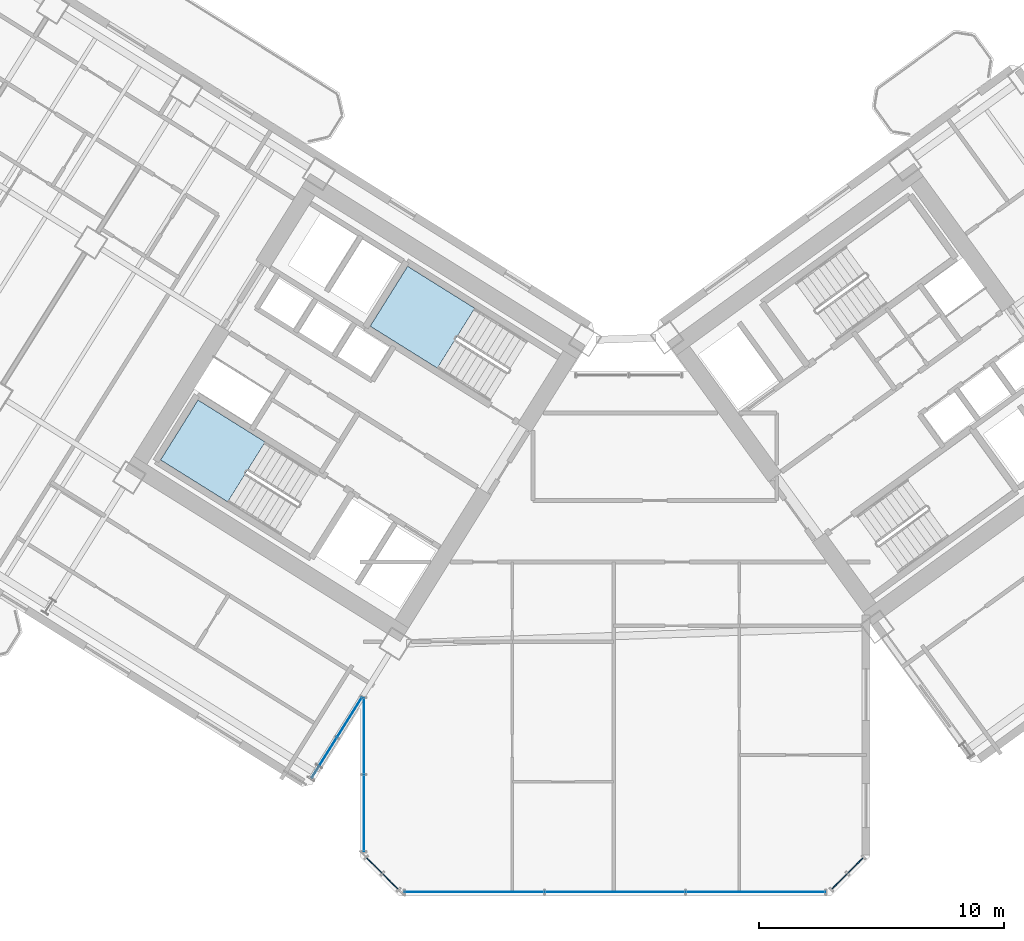
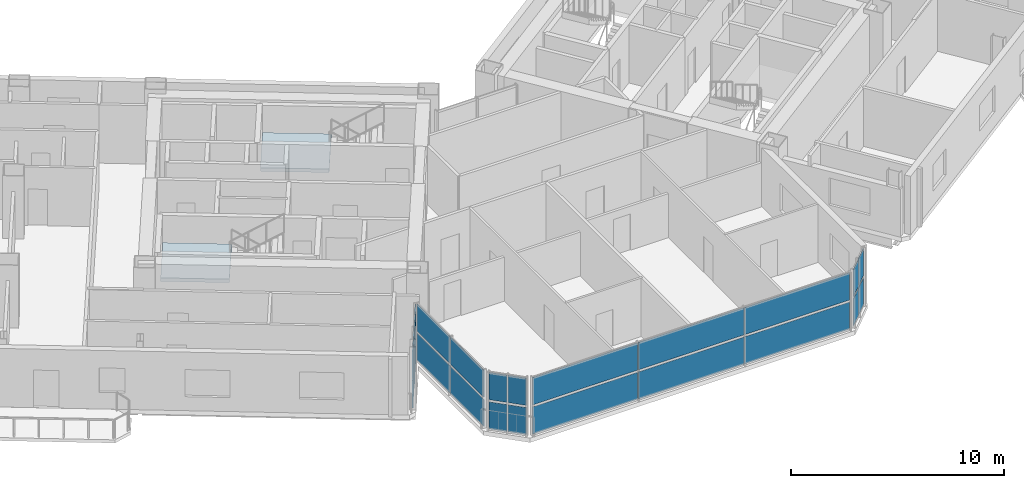
# One storey, part 13 of 24: 22 plates, 2 slabs, 7 elements without a shape of their own.
"""IFC4 building model written with IfcOpenShell, lengths in metres."""

from ifc_helpers import new_model, si_unit, direction, frame, origin, origin_2d, place, context, subcontext, project, spatial, polyline, rectangle, outline, extrude, source, transform, mapped, material, layer, layer_set, type_object, element, aggregate, save


model = new_model("IFC4")

# Units and contexts
model_context = context("Model", 3, precision=1e-05, world=origin(), true_north=direction((0.0, 1.0)))
body_context = subcontext(model_context, "Body", "Model", "MODEL_VIEW")
ifc_project = project(units=[si_unit("LENGTHUNIT", "METRE"), si_unit("AREAUNIT", "SQUARE_METRE"), si_unit("VOLUMEUNIT", "CUBIC_METRE"), si_unit("PLANEANGLEUNIT", "RADIAN"), si_unit("MASSUNIT", "GRAM", prefix="KILO")], contexts=[model_context])

# Site, building, storey
site_placement = place(None, origin())
site = spatial("IfcSite", under=ifc_project, at=site_placement, CompositionType="ELEMENT")
building_placement = place(site_placement, origin())
building = spatial("IfcBuilding", under=site, at=building_placement, Name="Tlacorven Tower", CompositionType="ELEMENT")
storey_placement = place(building_placement, frame((0.0, 0.0, 38.39990234375)))
storey = spatial("IfcBuildingStorey", under=building, at=storey_placement, Name="L09", CompositionType="ELEMENT", Elevation=38.39990234375)

# Stair, slab
ifc_material_1 = material(Name="Concrete C40/50", Category="concrete")
stair_type = type_object("IfcStairType", Name="ST-CORE-DLG", PredefinedType="HALF_TURN_STAIR", material=ifc_material_1)
stair_1_placement = place(storey_placement, origin())
stair_1 = element("IfcStair", 1, at=stair_1_placement, inside=storey, type_object=stair_type, Name="L09 Protected Exit Stair West 1", PredefinedType="HALF_TURN_STAIR")
ifc_layer_1 = layer(ifc_material_1, 0.199951171875)
ifc_layer_set_1 = layer_set([ifc_layer_1], Name="Concrete C40/50")
slab_type = type_object("IfcSlabType", Name="SL-LND-200", PredefinedType="LANDING", material=ifc_layer_set_1)
slab_1_placement = place(storey_placement, frame((0.0, 0.0, 1.60009765625)))
slab_1 = element("IfcSlab", 2, at=slab_1_placement, type_object=slab_type, Name="ST-W1 landing 1", PredefinedType="LANDING", context=body_context, shape_type="SweptSolid", body=[
    extrude(outline(polyline([(27.728515625, 20.315185546875), (24.9892578125, 22.02685546875), (23.463134765625, 19.58447265625), (26.2021484375, 17.872802734375), (27.728515625, 20.315185546875)])), origin(), (0.0, 0.0, 1.0), 0.199951171875),
])
aggregate(stair_1, [slab_1])

stair_2_placement = place(storey_placement, origin())
stair_2 = element("IfcStair", 3, at=stair_2_placement, inside=storey, type_object=stair_type, Name="L09 Protected Exit Stair West 2", PredefinedType="HALF_TURN_STAIR")
slab_2_placement = place(storey_placement, frame((0.0, 0.0, 1.60009765625)))
slab_2 = element("IfcSlab", 4, at=slab_2_placement, type_object=slab_type, Name="ST-W2 landing 1", PredefinedType="LANDING", context=body_context, shape_type="SweptSolid", body=[
    extrude(outline(polyline([(36.280029296875, 25.772705078125), (33.540771484375, 27.484375), (32.0146484375, 25.0419921875), (34.75390625, 23.33056640625), (36.280029296875, 25.772705078125)])), origin(), (0.0, 0.0, 1.0), 0.199951171875),
])
aggregate(stair_2, [slab_2])

# Curtain wall, plates
ifc_material_2 = material(Name="Dark solar low-E double glazing in aluminium frame", Category="aluminium")
curtain_wall_type = type_object("IfcCurtainWallType", Name="CW-TWR-LOW", PredefinedType="USERDEFINED", material=ifc_material_2)
curtain_wall_1_placement = place(storey_placement, origin())
curtain_wall_1 = element("IfcCurtainWall", 5, at=curtain_wall_1_placement, inside=storey, type_object=curtain_wall_type, Name="L09 CW-TWR-LOW Curtain Wall 45", ObjectType="UNITISED CURTAIN WALL", PredefinedType="USERDEFINED")
ifc_material_3 = material(Name="Dark solar double low-E glazing", Category="glass")
ifc_layer_2 = layer(ifc_material_3, 0.031982421875)
ifc_layer_set_2 = layer_set([ifc_layer_2], Name="Dark solar double low-E glazing")
plate_type = type_object("IfcPlateType", Name="CWP-02", PredefinedType="CURTAIN_PANEL", material=ifc_layer_set_2)
shared_shape_1 = source(origin(), body_context, "Body", "SweptSolid", [
    extrude(rectangle(XDim=0.878173828125, YDim=0.031982421875, at=origin_2d()), origin(), (0.0, 0.0, 1.0), 1.552978515625),
])
plate_1_placement = place(storey_placement, frame((51.815673828125, 3.0419921875, 0.06103515625), z_axis=(0.0, 0.0, 1.0), x_axis=(-0.707106781187, -0.707106781187, 0.0)))
plate_1 = element("IfcPlate", 6, at=plate_1_placement, type_object=plate_type, Name="CW-L09-045 Glazing Panel 1", PredefinedType="CURTAIN_PANEL", context=body_context, shape_type="MappedRepresentation", body=[
    mapped(shared_shape_1, transform((0.0, 0.0, 0.0), scale=1.0)),
])
plate_2_placement = place(storey_placement, frame((51.815673828125, 3.0419921875, 1.736328125), z_axis=(0.0, 0.0, 1.0), x_axis=(-0.707106781187, -0.707106781187, 0.0)))
plate_2 = element("IfcPlate", 7, at=plate_2_placement, type_object=plate_type, Name="CW-L09-045 Glazing Panel 2", PredefinedType="CURTAIN_PANEL", context=body_context, shape_type="MappedRepresentation", body=[
    mapped(shared_shape_1, transform((0.0, 0.0, 0.0), scale=1.0)),
])
plate_3_placement = place(storey_placement, frame((51.157958984375, 2.38427734375, 0.06103515625), z_axis=(0.0, 0.0, 1.0), x_axis=(-0.707106781187, -0.707106781187, 0.0)))
plate_3 = element("IfcPlate", 8, at=plate_3_placement, type_object=plate_type, Name="CW-L09-045 Glazing Panel 3", PredefinedType="CURTAIN_PANEL", context=body_context, shape_type="MappedRepresentation", body=[
    mapped(shared_shape_1, transform((0.0, 0.0, 0.0), scale=1.0)),
])
plate_4_placement = place(storey_placement, frame((51.157958984375, 2.38427734375, 1.736328125), z_axis=(0.0, 0.0, 1.0), x_axis=(-0.707106781187, -0.707106781187, 0.0)))
plate_4 = element("IfcPlate", 9, at=plate_4_placement, type_object=plate_type, Name="CW-L09-045 Glazing Panel 4", PredefinedType="CURTAIN_PANEL", context=body_context, shape_type="MappedRepresentation", body=[
    mapped(shared_shape_1, transform((0.0, 0.0, 0.0), scale=1.0)),
])
aggregate(curtain_wall_1, [plate_1, plate_2, plate_3, plate_4])

curtain_wall_2_placement = place(storey_placement, origin())
curtain_wall_2 = element("IfcCurtainWall", 10, at=curtain_wall_2_placement, inside=storey, type_object=curtain_wall_type, Name="L09 CW-TWR-LOW Curtain Wall 47", ObjectType="UNITISED CURTAIN WALL", PredefinedType="USERDEFINED")
plate_5_placement = place(storey_placement, frame((32.842041015625, 2.38427734375, 0.06103515625), z_axis=(0.0, 0.0, 1.0), x_axis=(-0.707106781187, 0.707106781187, 0.0)))
plate_5 = element("IfcPlate", 11, at=plate_5_placement, type_object=plate_type, Name="CW-L09-047 Glazing Panel 1", PredefinedType="CURTAIN_PANEL", context=body_context, shape_type="MappedRepresentation", body=[
    mapped(shared_shape_1, transform((0.0, 0.0, 0.0), scale=1.0)),
])
plate_6_placement = place(storey_placement, frame((32.842041015625, 2.38427734375, 1.736328125), z_axis=(0.0, 0.0, 1.0), x_axis=(-0.707106781187, 0.707106781187, 0.0)))
plate_6 = element("IfcPlate", 12, at=plate_6_placement, type_object=plate_type, Name="CW-L09-047 Glazing Panel 2", PredefinedType="CURTAIN_PANEL", context=body_context, shape_type="MappedRepresentation", body=[
    mapped(shared_shape_1, transform((0.0, 0.0, 0.0), scale=1.0)),
])
plate_7_placement = place(storey_placement, frame((32.184326171875, 3.0419921875, 0.06103515625), z_axis=(0.0, 0.0, 1.0), x_axis=(-0.707106781187, 0.707106781187, 0.0)))
plate_7 = element("IfcPlate", 13, at=plate_7_placement, type_object=plate_type, Name="CW-L09-047 Glazing Panel 3", PredefinedType="CURTAIN_PANEL", context=body_context, shape_type="MappedRepresentation", body=[
    mapped(shared_shape_1, transform((0.0, 0.0, 0.0), scale=1.0)),
])
plate_8_placement = place(storey_placement, frame((32.184326171875, 3.0419921875, 1.736328125), z_axis=(0.0, 0.0, 1.0), x_axis=(-0.707106781187, 0.707106781187, 0.0)))
plate_8 = element("IfcPlate", 14, at=plate_8_placement, type_object=plate_type, Name="CW-L09-047 Glazing Panel 4", PredefinedType="CURTAIN_PANEL", context=body_context, shape_type="MappedRepresentation", body=[
    mapped(shared_shape_1, transform((0.0, 0.0, 0.0), scale=1.0)),
])
aggregate(curtain_wall_2, [plate_5, plate_6, plate_7, plate_8])

curtain_wall_3_placement = place(storey_placement, origin())
curtain_wall_3 = element("IfcCurtainWall", 15, at=curtain_wall_3_placement, inside=storey, type_object=curtain_wall_type, Name="L09 CW-TWR-LOW Curtain Wall 46", ObjectType="UNITISED CURTAIN WALL", PredefinedType="USERDEFINED")
shared_shape_2 = source(origin(), body_context, "Body", "SweptSolid", [
    extrude(rectangle(XDim=5.668701171875, YDim=0.031982421875, at=origin_2d()), origin(), (0.0, 0.0, 1.0), 1.552978515625),
])
plate_9_placement = place(storey_placement, frame((47.73828125, 1.9599609375, 0.06103515625), z_axis=(0.0, 0.0, 1.0), x_axis=(-1.0, 0.0, 0.0)))
plate_9 = element("IfcPlate", 16, at=plate_9_placement, type_object=plate_type, Name="CW-L09-046 Glazing Panel 1", PredefinedType="CURTAIN_PANEL", context=body_context, shape_type="MappedRepresentation", body=[
    mapped(shared_shape_2, transform((0.0, 0.0, 0.0), scale=1.0)),
])
plate_10_placement = place(storey_placement, frame((47.73828125, 1.9599609375, 1.736328125), z_axis=(0.0, 0.0, 1.0), x_axis=(-1.0, 0.0, 0.0)))
plate_10 = element("IfcPlate", 17, at=plate_10_placement, type_object=plate_type, Name="CW-L09-046 Glazing Panel 2", PredefinedType="CURTAIN_PANEL", context=body_context, shape_type="MappedRepresentation", body=[
    mapped(shared_shape_2, transform((0.0, 0.0, 0.0), scale=1.0)),
])
plate_11_placement = place(storey_placement, frame((36.26171875, 1.9599609375, 0.06103515625), z_axis=(0.0, 0.0, 1.0), x_axis=(-1.0, 0.0, 0.0)))
plate_11 = element("IfcPlate", 18, at=plate_11_placement, type_object=plate_type, Name="CW-L09-046 Glazing Panel 5", PredefinedType="CURTAIN_PANEL", context=body_context, shape_type="MappedRepresentation", body=[
    mapped(shared_shape_2, transform((0.0, 0.0, 0.0), scale=1.0)),
])
plate_12_placement = place(storey_placement, frame((36.26171875, 1.9599609375, 1.736328125), z_axis=(0.0, 0.0, 1.0), x_axis=(-1.0, 0.0, 0.0)))
plate_12 = element("IfcPlate", 19, at=plate_12_placement, type_object=plate_type, Name="CW-L09-046 Glazing Panel 6", PredefinedType="CURTAIN_PANEL", context=body_context, shape_type="MappedRepresentation", body=[
    mapped(shared_shape_2, transform((0.0, 0.0, 0.0), scale=1.0)),
])
shared_shape_3 = source(origin(), body_context, "Body", "SweptSolid", [
    extrude(rectangle(XDim=5.703857421875, YDim=0.031982421875, at=origin_2d()), origin(), (0.0, 0.0, 1.0), 1.552978515625),
])
plate_13_placement = place(storey_placement, frame((42.0, 1.9599609375, 0.06103515625), z_axis=(0.0, 0.0, 1.0), x_axis=(-1.0, 0.0, 0.0)))
plate_13 = element("IfcPlate", 20, at=plate_13_placement, type_object=plate_type, Name="CW-L09-046 Glazing Panel 3", PredefinedType="CURTAIN_PANEL", context=body_context, shape_type="MappedRepresentation", body=[
    mapped(shared_shape_3, transform((0.0, 0.0, 0.0), scale=1.0)),
])
plate_14_placement = place(storey_placement, frame((42.0, 1.9599609375, 1.736328125), z_axis=(0.0, 0.0, 1.0), x_axis=(-1.0, 0.0, 0.0)))
plate_14 = element("IfcPlate", 21, at=plate_14_placement, type_object=plate_type, Name="CW-L09-046 Glazing Panel 4", PredefinedType="CURTAIN_PANEL", context=body_context, shape_type="MappedRepresentation", body=[
    mapped(shared_shape_3, transform((0.0, 0.0, 0.0), scale=1.0)),
])
aggregate(curtain_wall_3, [plate_9, plate_10, plate_13, plate_14, plate_11, plate_12])

curtain_wall_4_placement = place(storey_placement, origin())
curtain_wall_4 = element("IfcCurtainWall", 22, at=curtain_wall_4_placement, inside=storey, type_object=curtain_wall_type, Name="L09 CW-TWR-LOW Curtain Wall 48", ObjectType="UNITISED CURTAIN WALL", PredefinedType="USERDEFINED")
shared_shape_4 = source(origin(), body_context, "Body", "SweptSolid", [
    extrude(rectangle(XDim=3.09423828125, YDim=0.031982421875, at=origin_2d()), origin(), (0.0, 0.0, 1.0), 1.552978515625),
])
plate_15_placement = place(storey_placement, frame((31.760009765625, 5.17431640625, 0.06103515625), z_axis=(0.0, 0.0, 1.0), x_axis=(0.0, 1.0, 0.0)))
plate_15 = element("IfcPlate", 23, at=plate_15_placement, type_object=plate_type, Name="CW-L09-048 Glazing Panel 1", PredefinedType="CURTAIN_PANEL", context=body_context, shape_type="MappedRepresentation", body=[
    mapped(shared_shape_4, transform((0.0, 0.0, 0.0), scale=1.0)),
])
plate_16_placement = place(storey_placement, frame((31.760009765625, 5.17431640625, 1.736328125), z_axis=(0.0, 0.0, 1.0), x_axis=(0.0, 1.0, 0.0)))
plate_16 = element("IfcPlate", 24, at=plate_16_placement, type_object=plate_type, Name="CW-L09-048 Glazing Panel 2", PredefinedType="CURTAIN_PANEL", context=body_context, shape_type="MappedRepresentation", body=[
    mapped(shared_shape_4, transform((0.0, 0.0, 0.0), scale=1.0)),
])
plate_17_placement = place(storey_placement, frame((31.760009765625, 8.320556640625, 0.06103515625), z_axis=(0.0, 0.0, 1.0), x_axis=(0.0, 1.0, 0.0)))
plate_17 = element("IfcPlate", 25, at=plate_17_placement, type_object=plate_type, Name="CW-L09-048 Glazing Panel 3", PredefinedType="CURTAIN_PANEL", context=body_context, shape_type="MappedRepresentation", body=[
    mapped(shared_shape_4, transform((0.0, 0.0, 0.0), scale=1.0)),
])
plate_18_placement = place(storey_placement, frame((31.760009765625, 8.320556640625, 1.736328125), z_axis=(0.0, 0.0, 1.0), x_axis=(0.0, 1.0, 0.0)))
plate_18 = element("IfcPlate", 26, at=plate_18_placement, type_object=plate_type, Name="CW-L09-048 Glazing Panel 4", PredefinedType="CURTAIN_PANEL", context=body_context, shape_type="MappedRepresentation", body=[
    mapped(shared_shape_4, transform((0.0, 0.0, 0.0), scale=1.0)),
])
aggregate(curtain_wall_4, [plate_15, plate_16, plate_17, plate_18])

curtain_wall_5_placement = place(storey_placement, origin())
curtain_wall_5 = element("IfcCurtainWall", 27, at=curtain_wall_5_placement, inside=storey, type_object=curtain_wall_type, Name="L09 CW-TWR-LOW Curtain Wall 49", ObjectType="UNITISED CURTAIN WALL", PredefinedType="USERDEFINED")
shared_shape_5 = source(origin(), body_context, "Body", "SweptSolid", [
    extrude(rectangle(XDim=1.896240234375, YDim=0.031982421875, at=origin_2d()), origin(), (0.0, 0.0, 1.0), 1.552978515625),
])
plate_19_placement = place(storey_placement, frame((31.172119140625, 9.087890625, 0.06103515625), z_axis=(0.0, 0.0, 1.0), x_axis=(-0.529918710919, -0.848048441905, 0.0)))
plate_19 = element("IfcPlate", 28, at=plate_19_placement, type_object=plate_type, Name="CW-L09-049 Glazing Panel 1", PredefinedType="CURTAIN_PANEL", context=body_context, shape_type="MappedRepresentation", body=[
    mapped(shared_shape_5, transform((0.0, 0.0, 0.0), scale=1.0)),
])
plate_20_placement = place(storey_placement, frame((31.172119140625, 9.087890625, 1.736328125), z_axis=(0.0, 0.0, 1.0), x_axis=(-0.529918710919, -0.848048441905, 0.0)))
plate_20 = element("IfcPlate", 29, at=plate_20_placement, type_object=plate_type, Name="CW-L09-049 Glazing Panel 2", PredefinedType="CURTAIN_PANEL", context=body_context, shape_type="MappedRepresentation", body=[
    mapped(shared_shape_5, transform((0.0, 0.0, 0.0), scale=1.0)),
])
plate_21_placement = place(storey_placement, frame((30.1396484375, 7.435791015625, 0.06103515625), z_axis=(0.0, 0.0, 1.0), x_axis=(-0.529918710919, -0.848048441905, 0.0)))
plate_21 = element("IfcPlate", 30, at=plate_21_placement, type_object=plate_type, Name="CW-L09-049 Glazing Panel 3", PredefinedType="CURTAIN_PANEL", context=body_context, shape_type="MappedRepresentation", body=[
    mapped(shared_shape_5, transform((0.0, 0.0, 0.0), scale=1.0)),
])
plate_22_placement = place(storey_placement, frame((30.1396484375, 7.435791015625, 1.736328125), z_axis=(0.0, 0.0, 1.0), x_axis=(-0.529918710919, -0.848048441905, 0.0)))
plate_22 = element("IfcPlate", 31, at=plate_22_placement, type_object=plate_type, Name="CW-L09-049 Glazing Panel 4", PredefinedType="CURTAIN_PANEL", context=body_context, shape_type="MappedRepresentation", body=[
    mapped(shared_shape_5, transform((0.0, 0.0, 0.0), scale=1.0)),
])
aggregate(curtain_wall_5, [plate_19, plate_20, plate_21, plate_22])

save(model, "model.ifc")
